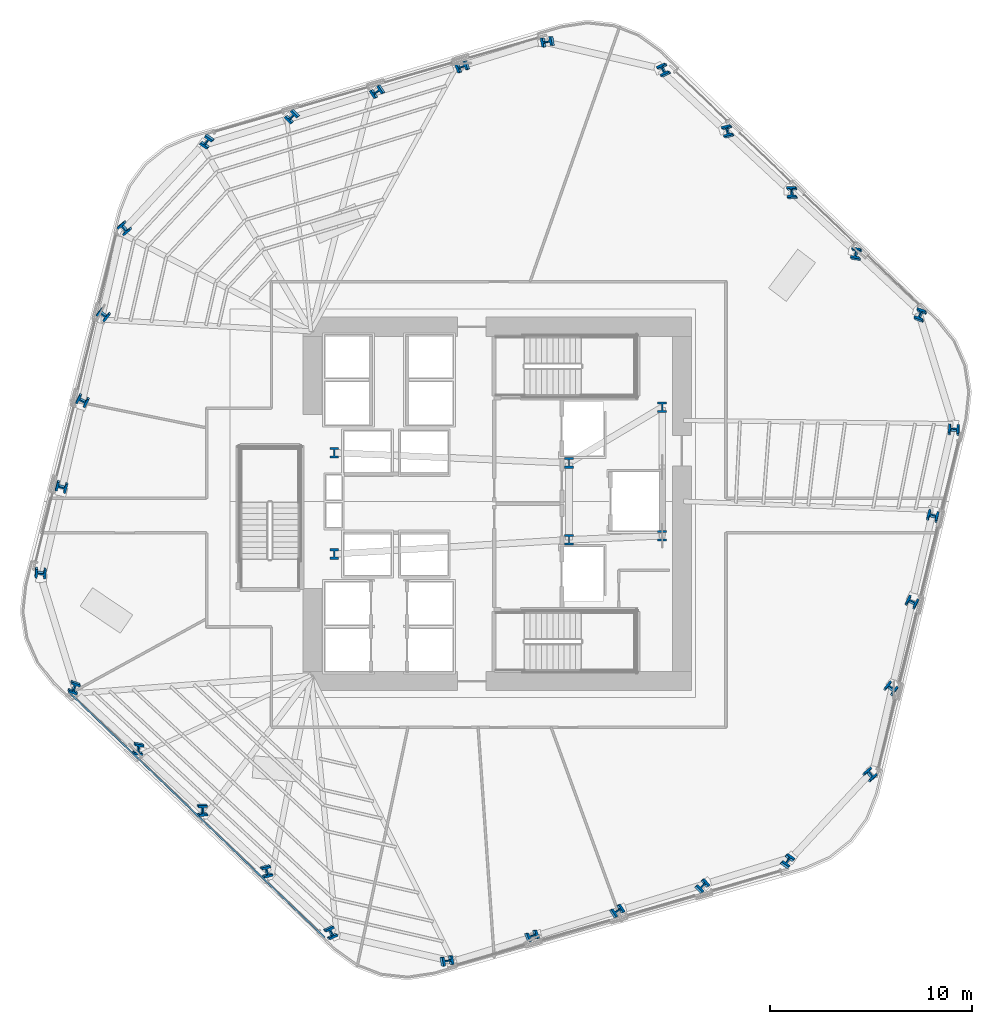
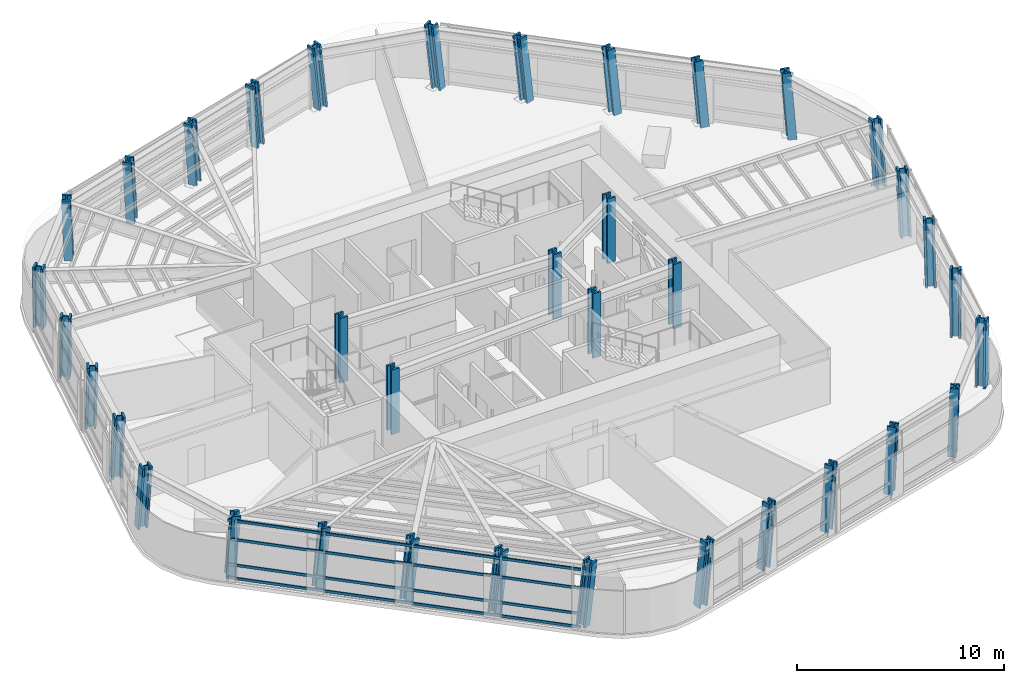
# One storey, part 1 of 15: 36 columns, 4 members, 1 element without a shape of its own.
"""IFC4 building model written with IfcOpenShell, lengths in metres."""

from ifc_helpers import new_model, si_unit, direction, frame, origin, origin_2d, place, context, subcontext, project, spatial, rectangle, i_section, extrude, material, layer, layer_set, material_profile, profile_set, type_object, element, aggregate, save


model = new_model("IFC4")

# Units and contexts
model_context = context("Model", 3, precision=1e-05, world=origin(), true_north=direction((0.0, 1.0)))
body_context = subcontext(model_context, "Body", "Model", "MODEL_VIEW")
ifc_project = project(units=[si_unit("LENGTHUNIT", "METRE"), si_unit("AREAUNIT", "SQUARE_METRE"), si_unit("VOLUMEUNIT", "CUBIC_METRE"), si_unit("PLANEANGLEUNIT", "RADIAN"), si_unit("MASSUNIT", "GRAM", prefix="KILO")], contexts=[model_context])

# Site, building, storey
site_placement = place(None, origin())
site = spatial("IfcSite", under=ifc_project, at=site_placement, CompositionType="ELEMENT")
building_placement = place(site_placement, origin())
building = spatial("IfcBuilding", under=site, at=building_placement, Name="Valkerne Bourse Tower", CompositionType="ELEMENT")
storey_placement = place(building_placement, frame((0.0, 0.0, 93.39990234375)))
storey = spatial("IfcBuildingStorey", under=building, at=storey_placement, Name="L23", CompositionType="ELEMENT", Elevation=93.39990234375)

# Columns
ifc_material_1 = material(Name="Steel ASTM A913 Grade 65", Category="steel")
ifc_material_profile_1 = material_profile(ifc_material_1, i_section(OverallWidth=0.44189453125, OverallDepth=0.531005859375, WebThickness=0.06591796875, FlangeThickness=0.105712890625, FilletRadius=0.030517578125, at=origin_2d()), Name="W14X605")
ifc_profile_set_1 = profile_set([ifc_material_profile_1], Name="Steel ASTM A913 Grade 65")
column_type = type_object("IfcColumnType", Name="COL-W14X605", PredefinedType="COLUMN", material=ifc_profile_set_1)
for number, where, z_axis, x_axis, name in (
    (1, (38.75, 24.39990234375, 0.005126953125), (0.0, 0.0, 1.0), (1.0, 0.0, 0.0), "L23 Core Frame Column CC-SW"),
    (2, (38.75, 29.39990234375, 0.005126953125), (0.0, 0.0, 1.0), (1.0, 0.0, 0.0), "L23 Core Frame Column CC-NW"),
    (3, (50.35009765625, 25.10009765625, 0.005126953125), (0.0, 0.0, 1.0), (1.0, 0.0, 0.0), "L23 Core Frame Column CC-CE1"),
    (4, (50.35009765625, 28.89990234375, 0.005126953125), (0.0, 0.0, 1.0), (1.0, 0.0, 0.0), "L23 Core Frame Column CC-CE2"),
    (5, (54.949951171875, 25.300048828125, 0.005126953125), (0.0, 0.0, 1.0), (1.0, 0.0, 0.0), "L23 Core Frame Column CC-SE"),
    (6, (54.949951171875, 31.64990234375, 0.005126953125), (0.0, 0.0, 1.0), (1.0, 0.0, 0.0), "L23 Core Frame Column CC-NE"),
):
    element("IfcColumn", number, at=place(storey_placement, frame(where, z_axis=z_axis, x_axis=x_axis)), inside=storey, type_object=column_type, Name=name, PredefinedType="COLUMN", context=body_context, shape_type="SweptSolid", body=[
        extrude(i_section(OverallWidth=0.44189453125, OverallDepth=0.531005859375, WebThickness=0.06591796875, FlangeThickness=0.105712890625, FilletRadius=0.030517578125, at=origin_2d()), origin(), (0.0, 0.0, 1.0), 3.794921875),
    ])
column_1_placement = place(storey_placement, frame((67.72265625, 36.15283203125, 0.010009765625), z_axis=(-0.038504626727, 0.086265791431, 0.995527803203), x_axis=(0.939935208279, -0.335032035945, 0.065386077484)))
element("IfcColumn", 7, at=column_1_placement, inside=storey, type_object=column_type, Name="L23 Helical Perimeter Tube Column F1-C1", PredefinedType="COLUMN", context=body_context, shape_type="SweptSolid", body=[
    extrude(i_section(OverallWidth=0.44189453125, OverallDepth=0.531005859375, WebThickness=0.06591796875, FlangeThickness=0.105712890625, FilletRadius=0.030517578125, at=origin_2d()), origin(), (0.0, 0.0, 1.0), 3.798095703125),
])
column_2_placement = place(storey_placement, frame((64.55908203125, 39.1865234375, 0.010009765625), z_axis=(-0.051000340018, 0.073124068853, 0.996017989733), x_axis=(0.986366524138, -0.152556269225, 0.061706278282)))
element("IfcColumn", 8, at=column_2_placement, inside=storey, type_object=column_type, Name="L23 Helical Perimeter Tube Column F1-C2", PredefinedType="COLUMN", context=body_context, shape_type="SweptSolid", body=[
    extrude(i_section(OverallWidth=0.44189453125, OverallDepth=0.531005859375, WebThickness=0.06591796875, FlangeThickness=0.105712890625, FilletRadius=0.030517578125, at=origin_2d()), origin(), (0.0, 0.0, 1.0), 3.796142578125),
])
column_3_placement = place(storey_placement, frame((61.395751953125, 42.22021484375, 0.010009765625), z_axis=(-0.063487444467, 0.05994964361, 0.996180397632), x_axis=(0.99684815224, 0.051391600149, 0.060437279972)))
element("IfcColumn", 9, at=column_3_placement, inside=storey, type_object=column_type, Name="L23 Helical Perimeter Tube Column F1-C3", PredefinedType="COLUMN", context=body_context, shape_type="SweptSolid", body=[
    extrude(i_section(OverallWidth=0.44189453125, OverallDepth=0.531005859375, WebThickness=0.06591796875, FlangeThickness=0.105712890625, FilletRadius=0.030517578125, at=origin_2d()), origin(), (0.0, 0.0, 1.0), 3.79541015625),
])
column_4_placement = place(storey_placement, frame((58.232177734375, 45.25390625, 0.010009765625), z_axis=(-0.075889643094, 0.046755737737, 0.996019408977), x_axis=(0.965527348017, 0.252884617662, 0.061695302746)))
element("IfcColumn", 10, at=column_4_placement, inside=storey, type_object=column_type, Name="L23 Helical Perimeter Tube Column F1-C4", PredefinedType="COLUMN", context=body_context, shape_type="SweptSolid", body=[
    extrude(i_section(OverallWidth=0.44189453125, OverallDepth=0.531005859375, WebThickness=0.06591796875, FlangeThickness=0.105712890625, FilletRadius=0.030517578125, at=origin_2d()), origin(), (0.0, 0.0, 1.0), 3.796142578125),
])
for number, where, z_axis, x_axis, name in (
    (11, (55.06884765625, 48.28759765625, 0.010009765625), (-0.088322881622, 0.033490699654, 0.995528724658), (0.900186650962, 0.430568848411, 0.065379356131), "L23 Helical Perimeter Tube Column F1-C5"),
    (12, (49.334716796875, 49.696044921875, 0.010009765625), (-0.093979421047, 0.009770774281, 0.995526192719), (-0.176950166442, 0.983866733669, -0.026360746875), "L23 Helical Perimeter Tube Column F2-C1"),
):
    element("IfcColumn", number, at=place(storey_placement, frame(where, z_axis=z_axis, x_axis=x_axis)), inside=storey, type_object=column_type, Name=name, PredefinedType="COLUMN", context=body_context, shape_type="SweptSolid", body=[
        extrude(i_section(OverallWidth=0.44189453125, OverallDepth=0.531005859375, WebThickness=0.06591796875, FlangeThickness=0.105712890625, FilletRadius=0.030517578125, at=origin_2d()), origin(), (0.0, 0.0, 1.0), 3.798095703125),
    ])
column_5_placement = place(storey_placement, frame((45.125732421875, 48.47314453125, 0.010009765625), z_axis=(-0.088816579068, -0.007588961861, 0.996019087639), x_axis=(-0.358626309878, 0.933149873545, -0.024869325813)))
element("IfcColumn", 13, at=column_5_placement, inside=storey, type_object=column_type, Name="L23 Helical Perimeter Tube Column F2-C2", PredefinedType="COLUMN", context=body_context, shape_type="SweptSolid", body=[
    extrude(i_section(OverallWidth=0.44189453125, OverallDepth=0.531005859375, WebThickness=0.06591796875, FlangeThickness=0.105712890625, FilletRadius=0.030517578125, at=origin_2d()), origin(), (0.0, 0.0, 1.0), 3.796142578125),
])
column_6_placement = place(storey_placement, frame((40.916748046875, 47.25048828125, 0.010009765625), z_axis=(-0.08362100217, -0.025021976803, 0.996183431238), x_axis=(-0.541550477325, 0.840315465232, -0.024351579037)))
element("IfcColumn", 14, at=column_6_placement, inside=storey, type_object=column_type, Name="L23 Helical Perimeter Tube Column F2-C3", PredefinedType="COLUMN", context=body_context, shape_type="SweptSolid", body=[
    extrude(i_section(OverallWidth=0.44189453125, OverallDepth=0.531005859375, WebThickness=0.06591796875, FlangeThickness=0.105712890625, FilletRadius=0.030517578125, at=origin_2d()), origin(), (0.0, 0.0, 1.0), 3.79541015625),
])
column_7_placement = place(storey_placement, frame((36.707763671875, 46.027587890625, 0.010009765625), z_axis=(-0.078397971498, -0.042382496487, 0.996020824108), x_axis=(-0.701126369192, 0.712603396217, -0.024863912051)))
element("IfcColumn", 15, at=column_7_placement, inside=storey, type_object=column_type, Name="L23 Helical Perimeter Tube Column F2-C4", PredefinedType="COLUMN", context=body_context, shape_type="SweptSolid", body=[
    extrude(i_section(OverallWidth=0.44189453125, OverallDepth=0.531005859375, WebThickness=0.06591796875, FlangeThickness=0.105712890625, FilletRadius=0.030517578125, at=origin_2d()), origin(), (0.0, 0.0, 1.0), 3.796142578125),
])
for number, where, z_axis, x_axis, name in (
    (16, (32.498779296875, 44.8046875, 0.010009765625), (-0.073152616541, -0.059717733538, 0.995531258673), (-0.82243105031, 0.568254400434, -0.026345851182), "L23 Helical Perimeter Tube Column F2-C5"),
    (17, (28.412109375, 40.543212890625, 0.010009765625), (-0.055474819819, -0.076494826865, 0.995525532485), (-0.760681440419, -0.642606311258, -0.091765325336), "L23 Helical Perimeter Tube Column F3-C1"),
):
    element("IfcColumn", number, at=place(storey_placement, frame(where, z_axis=z_axis, x_axis=x_axis)), inside=storey, type_object=column_type, Name=name, PredefinedType="COLUMN", context=body_context, shape_type="SweptSolid", body=[
        extrude(i_section(OverallWidth=0.44189453125, OverallDepth=0.531005859375, WebThickness=0.06591796875, FlangeThickness=0.105712890625, FilletRadius=0.030517578125, at=origin_2d()), origin(), (0.0, 0.0, 1.0), 3.798095703125),
    ])
column_8_placement = place(storey_placement, frame((27.366455078125, 36.28662109375, 0.010009765625), z_axis=(-0.037816207546, -0.080713164066, 0.996019738556), x_axis=(-0.626381605615, -0.77469570919, -0.086560050309)))
element("IfcColumn", 18, at=column_8_placement, inside=storey, type_object=column_type, Name="L23 Helical Perimeter Tube Column F3-C2", PredefinedType="COLUMN", context=body_context, shape_type="SweptSolid", body=[
    extrude(i_section(OverallWidth=0.44189453125, OverallDepth=0.531005859375, WebThickness=0.06591796875, FlangeThickness=0.105712890625, FilletRadius=0.030517578125, at=origin_2d()), origin(), (0.0, 0.0, 1.0), 3.796142578125),
])
column_9_placement = place(storey_placement, frame((26.321044921875, 32.030029296875, 0.010009765625), z_axis=(-0.020197701796, -0.084907536214, 0.996184101026), x_axis=(-0.45594165752, -0.885964657997, -0.084757475884)))
element("IfcColumn", 19, at=column_9_placement, inside=storey, type_object=column_type, Name="L23 Helical Perimeter Tube Column F3-C3", PredefinedType="COLUMN", context=body_context, shape_type="SweptSolid", body=[
    extrude(i_section(OverallWidth=0.44189453125, OverallDepth=0.531005859375, WebThickness=0.06591796875, FlangeThickness=0.105712890625, FilletRadius=0.030517578125, at=origin_2d()), origin(), (0.0, 0.0, 1.0), 3.79541015625),
])
column_10_placement = place(storey_placement, frame((25.275390625, 27.773681640625, 0.010009765625), z_axis=(-0.002443910129, -0.08907409286, 0.996022004418), x_axis=(-0.264972589801, -0.960365108287, -0.086535457699)))
element("IfcColumn", 20, at=column_10_placement, inside=storey, type_object=column_type, Name="L23 Helical Perimeter Tube Column F3-C4", PredefinedType="COLUMN", context=body_context, shape_type="SweptSolid", body=[
    extrude(i_section(OverallWidth=0.44189453125, OverallDepth=0.531005859375, WebThickness=0.06591796875, FlangeThickness=0.105712890625, FilletRadius=0.030517578125, at=origin_2d()), origin(), (0.0, 0.0, 1.0), 3.796142578125),
])
for number, where, z_axis, x_axis, name in (
    (21, (24.22998046875, 23.51708984375, 0.010009765625), (0.015170486419, -0.093208497064, 0.995531030364), (-0.080125015332, -0.992557016363, -0.091709057281), "L23 Helical Perimeter Tube Column F3-C5"),
    (22, (25.877197265625, 17.84716796875, 0.010009765625), (0.038568812698, -0.086265577734, 0.995525337089), (0.940142449294, -0.334446533295, -0.065404062585), "L23 Helical Perimeter Tube Column F4-C1"),
):
    element("IfcColumn", number, at=place(storey_placement, frame(where, z_axis=z_axis, x_axis=x_axis)), inside=storey, type_object=column_type, Name=name, PredefinedType="COLUMN", context=body_context, shape_type="SweptSolid", body=[
        extrude(i_section(OverallWidth=0.44189453125, OverallDepth=0.531005859375, WebThickness=0.06591796875, FlangeThickness=0.105712890625, FilletRadius=0.030517578125, at=origin_2d()), origin(), (0.0, 0.0, 1.0), 3.798095703125),
    ])
column_11_placement = place(storey_placement, frame((29.040771484375, 14.8134765625, 0.010009765625), z_axis=(0.051000340018, -0.073124068853, 0.996017989733), x_axis=(0.986366524138, -0.152556269225, -0.061706278282)))
element("IfcColumn", 23, at=column_11_placement, inside=storey, type_object=column_type, Name="L23 Helical Perimeter Tube Column F4-C2", PredefinedType="COLUMN", context=body_context, shape_type="SweptSolid", body=[
    extrude(i_section(OverallWidth=0.44189453125, OverallDepth=0.531005859375, WebThickness=0.06591796875, FlangeThickness=0.105712890625, FilletRadius=0.030517578125, at=origin_2d()), origin(), (0.0, 0.0, 1.0), 3.796142578125),
])
column_12_placement = place(storey_placement, frame((32.204345703125, 11.77978515625, 0.010009765625), z_axis=(0.063423379689, -0.059949888307, 0.996184463742), x_axis=(0.996876075297, 0.050885230245, -0.060405164051)))
element("IfcColumn", 24, at=column_12_placement, inside=storey, type_object=column_type, Name="L23 Helical Perimeter Tube Column F4-C3", PredefinedType="COLUMN", context=body_context, shape_type="SweptSolid", body=[
    extrude(i_section(OverallWidth=0.44189453125, OverallDepth=0.531005859375, WebThickness=0.06591796875, FlangeThickness=0.105712890625, FilletRadius=0.030517578125, at=origin_2d()), origin(), (0.0, 0.0, 1.0), 3.79541015625),
])
column_13_placement = place(storey_placement, frame((35.367919921875, 8.74609375, 0.010009765625), z_axis=(0.075889643094, -0.046755737737, 0.996019408977), x_axis=(0.965527348017, 0.252884617662, -0.061695302746)))
element("IfcColumn", 25, at=column_13_placement, inside=storey, type_object=column_type, Name="L23 Helical Perimeter Tube Column F4-C4", PredefinedType="COLUMN", context=body_context, shape_type="SweptSolid", body=[
    extrude(i_section(OverallWidth=0.44189453125, OverallDepth=0.531005859375, WebThickness=0.06591796875, FlangeThickness=0.105712890625, FilletRadius=0.030517578125, at=origin_2d()), origin(), (0.0, 0.0, 1.0), 3.796142578125),
])
for number, where, z_axis, x_axis, name in (
    (26, (38.53125, 5.71240234375, 0.010009765625), (0.088322881622, -0.033490699654, 0.995528724658), (0.900186650962, 0.430568848411, -0.065379356131), "L23 Helical Perimeter Tube Column F4-C5"),
    (27, (44.265380859375, 4.303955078125, 0.010009765625), (0.093979421047, -0.009770774281, 0.995526192719), (-0.176950166442, 0.983866733669, 0.026360746875), "L23 Helical Perimeter Tube Column F5-C1"),
):
    element("IfcColumn", number, at=place(storey_placement, frame(where, z_axis=z_axis, x_axis=x_axis)), inside=storey, type_object=column_type, Name=name, PredefinedType="COLUMN", context=body_context, shape_type="SweptSolid", body=[
        extrude(i_section(OverallWidth=0.44189453125, OverallDepth=0.531005859375, WebThickness=0.06591796875, FlangeThickness=0.105712890625, FilletRadius=0.030517578125, at=origin_2d()), origin(), (0.0, 0.0, 1.0), 3.798095703125),
    ])
column_14_placement = place(storey_placement, frame((48.474365234375, 5.52685546875, 0.010009765625), z_axis=(0.088752772613, 0.007589005194, 0.99602477497), x_axis=(-0.358685248825, 0.933127692626, 0.024851590085)))
element("IfcColumn", 28, at=column_14_placement, inside=storey, type_object=column_type, Name="L23 Helical Perimeter Tube Column F5-C2", PredefinedType="COLUMN", context=body_context, shape_type="SweptSolid", body=[
    extrude(i_section(OverallWidth=0.44189453125, OverallDepth=0.531005859375, WebThickness=0.06591796875, FlangeThickness=0.105712890625, FilletRadius=0.030517578125, at=origin_2d()), origin(), (0.0, 0.0, 1.0), 3.796142578125),
])
column_15_placement = place(storey_placement, frame((52.683349609375, 6.74951171875, 0.010009765625), z_axis=(0.08355712759, 0.025022111341, 0.996188787516), x_axis=(-0.541729548385, 0.840200528236, 0.024334517845)))
element("IfcColumn", 29, at=column_15_placement, inside=storey, type_object=column_type, Name="L23 Helical Perimeter Tube Column F5-C3", PredefinedType="COLUMN", context=body_context, shape_type="SweptSolid", body=[
    extrude(i_section(OverallWidth=0.44189453125, OverallDepth=0.531005859375, WebThickness=0.06591796875, FlangeThickness=0.105712890625, FilletRadius=0.030517578125, at=origin_2d()), origin(), (0.0, 0.0, 1.0), 3.79541015625),
])
column_16_placement = place(storey_placement, frame((56.892333984375, 7.972412109375, 0.010009765625), z_axis=(0.078397971498, 0.042382496487, 0.996020824108), x_axis=(-0.701126369192, 0.712603396217, 0.024863912051)))
element("IfcColumn", 30, at=column_16_placement, inside=storey, type_object=column_type, Name="L23 Helical Perimeter Tube Column F5-C4", PredefinedType="COLUMN", context=body_context, shape_type="SweptSolid", body=[
    extrude(i_section(OverallWidth=0.44189453125, OverallDepth=0.531005859375, WebThickness=0.06591796875, FlangeThickness=0.105712890625, FilletRadius=0.030517578125, at=origin_2d()), origin(), (0.0, 0.0, 1.0), 3.796142578125),
])
for number, where, z_axis, x_axis, name in (
    (31, (61.101318359375, 9.1953125, 0.010009765625), (0.073152616541, 0.059717733538, 0.995531258673), (-0.82243105031, 0.568254400434, 0.026345851182), "L23 Helical Perimeter Tube Column F5-C5"),
    (32, (65.18798828125, 13.456787109375, 0.010009765625), (0.055410735932, 0.076495099489, 0.995529080488), (-0.760329318834, -0.643028082055, 0.091729017271), "L23 Helical Perimeter Tube Column F6-C1"),
):
    element("IfcColumn", number, at=place(storey_placement, frame(where, z_axis=z_axis, x_axis=x_axis)), inside=storey, type_object=column_type, Name=name, PredefinedType="COLUMN", context=body_context, shape_type="SweptSolid", body=[
        extrude(i_section(OverallWidth=0.44189453125, OverallDepth=0.531005859375, WebThickness=0.06591796875, FlangeThickness=0.105712890625, FilletRadius=0.030517578125, at=origin_2d()), origin(), (0.0, 0.0, 1.0), 3.798095703125),
    ])
column_17_placement = place(storey_placement, frame((66.2333984375, 17.71337890625, 0.010009765625), z_axis=(0.037816207546, 0.080713164066, 0.996019738556), x_axis=(-0.626381605615, -0.77469570919, 0.086560050309)))
element("IfcColumn", 33, at=column_17_placement, inside=storey, type_object=column_type, Name="L23 Helical Perimeter Tube Column F6-C2", PredefinedType="COLUMN", context=body_context, shape_type="SweptSolid", body=[
    extrude(i_section(OverallWidth=0.44189453125, OverallDepth=0.531005859375, WebThickness=0.06591796875, FlangeThickness=0.105712890625, FilletRadius=0.030517578125, at=origin_2d()), origin(), (0.0, 0.0, 1.0), 3.796142578125),
])
column_18_placement = place(storey_placement, frame((67.279052734375, 21.969970703125, 0.010009765625), z_axis=(0.020133404021, 0.08490764635, 0.996185393204), x_axis=(-0.455306482127, -0.886292618512, 0.084743151375)))
element("IfcColumn", 34, at=column_18_placement, inside=storey, type_object=column_type, Name="L23 Helical Perimeter Tube Column F6-C3", PredefinedType="COLUMN", context=body_context, shape_type="SweptSolid", body=[
    extrude(i_section(OverallWidth=0.44189453125, OverallDepth=0.531005859375, WebThickness=0.06591796875, FlangeThickness=0.105712890625, FilletRadius=0.030517578125, at=origin_2d()), origin(), (0.0, 0.0, 1.0), 3.79541015625),
])
column_19_placement = place(storey_placement, frame((68.324462890625, 26.226318359375, 0.010009765625), z_axis=(0.002508223154, 0.089074078675, 0.996021845807), x_axis=(-0.265665385431, -0.960173536171, 0.086537179417)))
element("IfcColumn", 35, at=column_19_placement, inside=storey, type_object=column_type, Name="L23 Helical Perimeter Tube Column F6-C4", PredefinedType="COLUMN", context=body_context, shape_type="SweptSolid", body=[
    extrude(i_section(OverallWidth=0.44189453125, OverallDepth=0.531005859375, WebThickness=0.06591796875, FlangeThickness=0.105712890625, FilletRadius=0.030517578125, at=origin_2d()), origin(), (0.0, 0.0, 1.0), 3.796142578125),
])
column_20_placement = place(storey_placement, frame((69.3701171875, 30.48291015625, 0.010009765625), z_axis=(-0.015170486419, 0.093208497064, 0.995531030364), x_axis=(-0.080125015332, -0.992557016363, 0.091709057281)))
element("IfcColumn", 36, at=column_20_placement, inside=storey, type_object=column_type, Name="L23 Helical Perimeter Tube Column F6-C5", PredefinedType="COLUMN", context=body_context, shape_type="SweptSolid", body=[
    extrude(i_section(OverallWidth=0.44189453125, OverallDepth=0.531005859375, WebThickness=0.06591796875, FlangeThickness=0.105712890625, FilletRadius=0.030517578125, at=origin_2d()), origin(), (0.0, 0.0, 1.0), 3.798095703125),
])

# Curtain wall, members
ifc_material_2 = material(Name="Aluminium AA 6063-T6", Category="aluminium")
ifc_layer = layer(ifc_material_2, 0.22998046875)
ifc_layer_set = layer_set([ifc_layer], Name="Aluminium AA 6063-T6")
curtain_wall_type = type_object("IfcCurtainWallType", Name="CW-02", PredefinedType="NOTDEFINED", material=ifc_layer_set)
curtain_wall_placement = place(storey_placement, origin())
curtain_wall = element("IfcCurtainWall", 37, at=curtain_wall_placement, inside=storey, type_object=curtain_wall_type, Name="L23 Hexagonal Stick Curtain Wall Face 4", PredefinedType="NOTDEFINED")
ifc_material_profile_2 = material_profile(ifc_material_2, rectangle(XDim=0.074951171875, YDim=0.14990234375, at=origin_2d()), Name="CWT-75X150")
ifc_profile_set_2 = profile_set([ifc_material_profile_2], Name="Aluminium AA 6063-T6")
member_type = type_object("IfcMemberType", Name="CW-TRN-180X65", PredefinedType="USERDEFINED", material=ifc_profile_set_2)
member_1_placement = place(storey_placement, frame((25.628173828125, 17.58740234375, 0.1201171875), z_axis=(0.721754544553, -0.692149100568, 0.0), x_axis=(0.692149100568, 0.721754544553, 0.0)))
member_1 = element("IfcMember", 38, at=member_1_placement, type_object=member_type, Name="CW-L23-F4 Continuous Face Transom 1", ObjectType="TRANSOM", PredefinedType="USERDEFINED", context=body_context, shape_type="SweptSolid", body=[
    extrude(rectangle(XDim=0.074951171875, YDim=0.14990234375, at=origin_2d()), origin(), (0.0, 0.0, 1.0), 17.531982421875),
])
member_2_placement = place(storey_placement, frame((25.628173828125, 17.58740234375, 0.900146484375), z_axis=(0.721754544553, -0.692149100568, 0.0), x_axis=(0.692149100568, 0.721754544553, 0.0)))
member_2 = element("IfcMember", 39, at=member_2_placement, type_object=member_type, Name="CW-L23-F4 Continuous Face Transom 2", ObjectType="TRANSOM", PredefinedType="USERDEFINED", context=body_context, shape_type="SweptSolid", body=[
    extrude(rectangle(XDim=0.074951171875, YDim=0.14990234375, at=origin_2d()), origin(), (0.0, 0.0, 1.0), 17.531982421875),
])
member_3_placement = place(storey_placement, frame((25.628173828125, 17.58740234375, 2.400146484375), z_axis=(0.721754544553, -0.692149100568, 0.0), x_axis=(0.692149100568, 0.721754544553, 0.0)))
member_3 = element("IfcMember", 40, at=member_3_placement, type_object=member_type, Name="CW-L23-F4 Continuous Face Transom 3", ObjectType="TRANSOM", PredefinedType="USERDEFINED", context=body_context, shape_type="SweptSolid", body=[
    extrude(rectangle(XDim=0.074951171875, YDim=0.14990234375, at=origin_2d()), origin(), (0.0, 0.0, 1.0), 17.531982421875),
])
member_4_placement = place(storey_placement, frame((25.628173828125, 17.58740234375, 3.5), z_axis=(0.721754544553, -0.692149100568, 0.0), x_axis=(0.692149100568, 0.721754544553, 0.0)))
member_4 = element("IfcMember", 41, at=member_4_placement, type_object=member_type, Name="CW-L23-F4 Continuous Face Transom 4", ObjectType="TRANSOM", PredefinedType="USERDEFINED", context=body_context, shape_type="SweptSolid", body=[
    extrude(rectangle(XDim=0.074951171875, YDim=0.14990234375, at=origin_2d()), origin(), (0.0, 0.0, 1.0), 17.531982421875),
])
aggregate(curtain_wall, [member_1, member_2, member_3, member_4])

save(model, "model.ifc")
